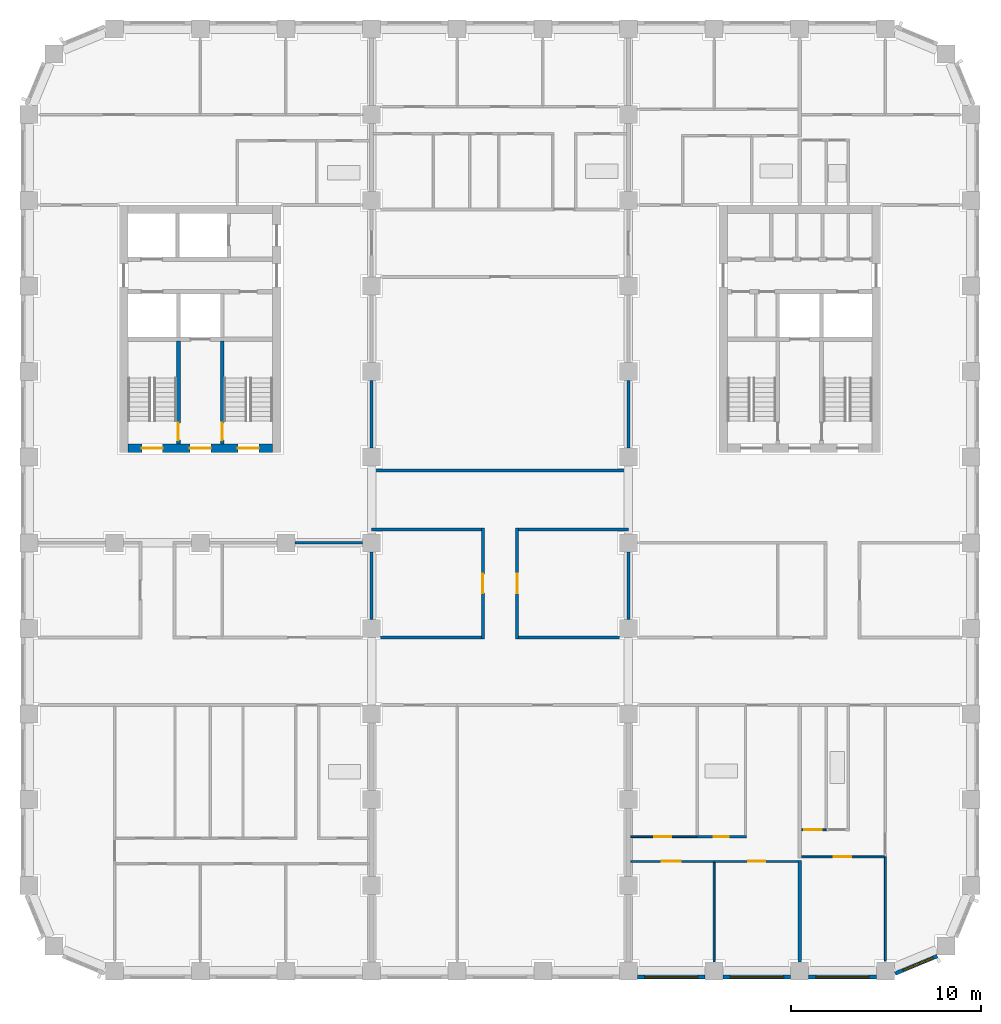
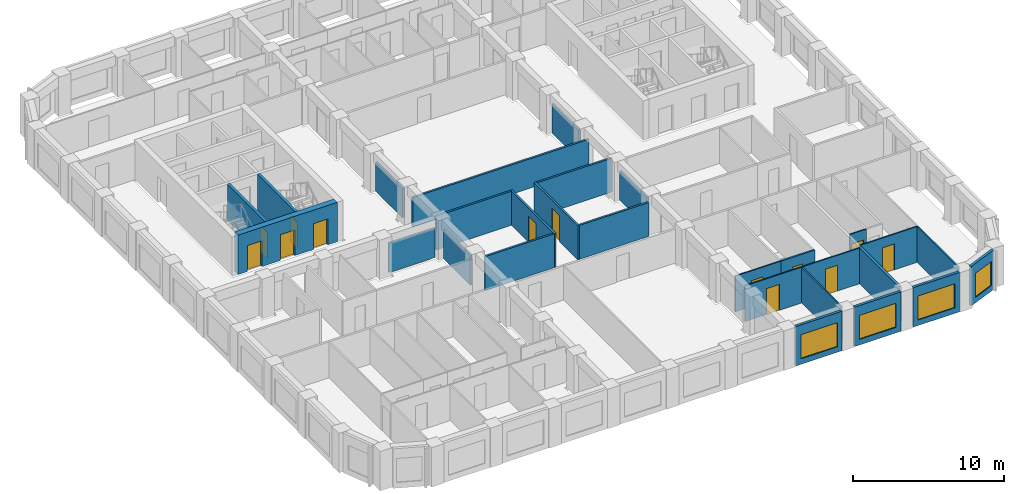
# One storey, part 4 of 13: 28 walls, 13 doors, 4 windows, 17 openings.
"""IFC4 building model written with IfcOpenShell, lengths in metres."""

from ifc_helpers import new_model, si_unit, direction, frame, frame_2d, origin, place, context, subcontext, project, spatial, rectangle, extrude, material, layer, layer_set, type_object, element, fill, save


model = new_model("IFC4")

# Units and contexts
model_context = context("Model", 3, precision=1e-05, world=origin(), true_north=direction((0.0, 1.0)))
body_context = subcontext(model_context, "Body", "Model", "MODEL_VIEW")
ifc_project = project(units=[si_unit("LENGTHUNIT", "METRE"), si_unit("AREAUNIT", "SQUARE_METRE"), si_unit("VOLUMEUNIT", "CUBIC_METRE"), si_unit("PLANEANGLEUNIT", "RADIAN"), si_unit("MASSUNIT", "GRAM", prefix="KILO")], contexts=[model_context])

# Site, building, storey
site_placement = place(None, origin())
site = spatial("IfcSite", under=ifc_project, at=site_placement, CompositionType="ELEMENT")
building_placement = place(site_placement, origin())
building = spatial("IfcBuilding", under=site, at=building_placement, Name="Girih Gate Residences", CompositionType="ELEMENT")
storey_placement = place(building_placement, frame((0.0, 0.0, 130.199951171875)))
storey = spatial("IfcBuildingStorey", under=building, at=storey_placement, Name="L36", CompositionType="ELEMENT", Elevation=130.199951171875)

# Wall, opening, door
ifc_material_1 = material(Name="Gypsum board on steel studs", Category="steel")
ifc_layer_1 = layer(ifc_material_1, 0.14990234375)
ifc_layer_set_1 = layer_set([ifc_layer_1], Name="Compartment wall 150 mm")
wall_type_1 = type_object("IfcWallType", Name="Compartment wall 150 mm", PredefinedType="PARTITIONING", material=ifc_layer_set_1)
wall_1_placement = place(storey_placement, frame((23.85009765625, 17.449951171875, 0.0), z_axis=(0.0, 0.0, 1.0), x_axis=(0.0, 1.0, 0.0)))
wall_1 = element("IfcWall", 1, at=wall_1_placement, inside=storey, type_object=wall_type_1, Name="L36 partition", PredefinedType="PARTITIONING", context=body_context, shape_type="SweptSolid", body=[
    extrude(rectangle(XDim=5.824951171875, YDim=0.14990234375, at=frame_2d((2.91259765625, 0.0))), origin(), (0.0, 0.0, 1.0), 2.75),
])
opening_1_placement = place(wall_1_placement, frame((2.41259765625, 0.0, 0.0)))
opening_1 = element("IfcOpeningElement", 2, at=opening_1_placement, cuts=wall_1, Name="Opening A36-051", PredefinedType="OPENING", context=body_context, shape_type="SweptSolid", body=[
    extrude(rectangle(XDim=1.0, YDim=2.10009765625, at=frame_2d((0.5, 1.050048828125))), frame((0.0, 0.0849609375, 0.0), z_axis=(0.0, -1.0, 0.0), x_axis=(1.0, 0.0, 0.0)), (0.0, 0.0, 1.0), 0.169921875),
])
ifc_material_2 = material(Name="Timber, fire-rated core", Category="wood")
door_type_1 = type_object("IfcDoorType", Name="Amenity room door 1000x2100 FD30S", OperationType="NOTDEFINED", PredefinedType="DOOR", material=ifc_material_2)
door_1_placement = place(opening_1_placement, origin())
door_1 = element("IfcDoor", 3, at=door_1_placement, inside=storey, type_object=door_type_1, Name="Door A36-051", OperationType="SINGLE_SWING_LEFT", OverallHeight=2.10009765625, OverallWidth=1.0, PredefinedType="DOOR", context=body_context, shape_type="SweptSolid", body=[
    extrude(rectangle(XDim=1.0, YDim=2.10009765625, at=frame_2d((0.5, 1.050048828125))), frame((0.0, 0.02490234375, 0.0), z_axis=(0.0, -1.0, 0.0), x_axis=(1.0, 0.0, 0.0)), (0.0, 0.0, 1.0), 0.050048828125),
])
fill(opening_1, door_1)

wall_2_placement = place(storey_placement, frame((25.64990234375, 23.27490234375, 0.0), z_axis=(0.0, 0.0, 1.0), x_axis=(0.0, -1.0, 0.0)))
wall_2 = element("IfcWall", 4, at=wall_2_placement, inside=storey, type_object=wall_type_1, Name="L36 partition", PredefinedType="PARTITIONING", context=body_context, shape_type="SweptSolid", body=[
    extrude(rectangle(XDim=5.824951171875, YDim=0.14990234375, at=frame_2d((2.91259765625, 0.0))), origin(), (0.0, 0.0, 1.0), 2.75),
])
opening_2_placement = place(wall_2_placement, frame((2.41259765625, 0.0, 0.0)))
opening_2 = element("IfcOpeningElement", 5, at=opening_2_placement, cuts=wall_2, Name="Opening A36-052", PredefinedType="OPENING", context=body_context, shape_type="SweptSolid", body=[
    extrude(rectangle(XDim=1.0, YDim=2.10009765625, at=frame_2d((0.5, 1.050048828125))), frame((0.0, 0.0849609375, 0.0), z_axis=(0.0, -1.0, 0.0), x_axis=(1.0, 0.0, 0.0)), (0.0, 0.0, 1.0), 0.169921875),
])
door_2_placement = place(opening_2_placement, origin())
door_2 = element("IfcDoor", 6, at=door_2_placement, inside=storey, type_object=door_type_1, Name="Door A36-052", OperationType="SINGLE_SWING_RIGHT", OverallHeight=2.10009765625, OverallWidth=1.0, PredefinedType="DOOR", context=body_context, shape_type="SweptSolid", body=[
    extrude(rectangle(XDim=1.0, YDim=2.10009765625, at=frame_2d((0.5, 1.050048828125))), frame((0.0, 0.02490234375, 0.0), z_axis=(0.0, -1.0, 0.0), x_axis=(1.0, 0.0, 0.0)), (0.0, 0.0, 1.0), 0.050048828125),
])
fill(opening_2, door_2)

# Walls
for number, where, z_axis, x_axis, name in (
    (7, (18.47509765625, 17.52490234375, 0.0), (0.0, 0.0, 1.0), (1.0, 0.0, 0.0), "L36 partition"),
    (8, (25.72509765625, 17.52490234375, 0.0), (0.0, 0.0, 1.0), (1.0, 0.0, 0.0), "L36 partition"),
):
    element("IfcWall", number, at=place(storey_placement, frame(where, z_axis=z_axis, x_axis=x_axis)), inside=storey, type_object=wall_type_1, Name=name, PredefinedType="PARTITIONING", context=body_context, shape_type="SweptSolid", body=[
        extrude(rectangle(XDim=5.2998046875, YDim=0.14990234375, at=frame_2d((2.64990234375, 0.0))), origin(), (0.0, 0.0, 1.0), 2.75),
    ])
for number, where, z_axis, x_axis, name in (
    (9, (31.5, 27.47509765625, 0.0), (0.0, 0.0, 1.0), (0.0, 1.0, 0.0), "L36 partition"),
    (10, (18.0, 27.47509765625, 0.0), (0.0, 0.0, 1.0), (0.0, 1.0, 0.0), "L36 partition"),
):
    element("IfcWall", number, at=place(storey_placement, frame(where, z_axis=z_axis, x_axis=x_axis)), inside=storey, type_object=wall_type_1, Name=name, PredefinedType="PARTITIONING", context=body_context, shape_type="SweptSolid", body=[
        extrude(rectangle(XDim=3.5498046875, YDim=0.14990234375, at=frame_2d((1.77490234375, 0.0))), origin(), (0.0, 0.0, 1.0), 2.380126953125),
    ])
wall_3_placement = place(storey_placement, frame((18.0, 26.300048828125, 0.0), z_axis=(0.0, 0.0, 1.0), x_axis=(1.0, 0.0, 0.0)))
element("IfcWall", 11, at=wall_3_placement, inside=storey, type_object=wall_type_1, Name="L36 partition", PredefinedType="PARTITIONING", context=body_context, shape_type="SweptSolid", body=[
    extrude(rectangle(XDim=13.5, YDim=0.14990234375, at=frame_2d((6.75, 0.0))), origin(), (0.0, 0.0, 1.0), 2.380126953125),
])
wall_4_placement = place(storey_placement, frame((18.0, 23.199951171875, 0.0), z_axis=(0.0, 0.0, 1.0), x_axis=(1.0, 0.0, 0.0)))
element("IfcWall", 12, at=wall_4_placement, inside=storey, type_object=wall_type_1, Name="L36 partition", PredefinedType="PARTITIONING", context=body_context, shape_type="SweptSolid", body=[
    extrude(rectangle(XDim=5.77490234375, YDim=0.14990234375, at=frame_2d((2.887451171875, 0.0))), origin(), (0.0, 0.0, 1.0), 2.75),
])
wall_5_placement = place(storey_placement, frame((18.0, 18.47509765625, 0.0), z_axis=(0.0, 0.0, 1.0), x_axis=(0.0, 1.0, 0.0)))
element("IfcWall", 13, at=wall_5_placement, inside=storey, type_object=wall_type_1, Name="L36 partition", PredefinedType="PARTITIONING", context=body_context, shape_type="SweptSolid", body=[
    extrude(rectangle(XDim=3.5498046875, YDim=0.14990234375, at=frame_2d((1.77490234375, 0.0))), origin(), (0.0, 0.0, 1.0), 2.380126953125),
])
wall_6_placement = place(storey_placement, frame((25.72509765625, 23.199951171875, 0.0), z_axis=(0.0, 0.0, 1.0), x_axis=(1.0, 0.0, 0.0)))
element("IfcWall", 14, at=wall_6_placement, inside=storey, type_object=wall_type_1, Name="L36 partition", PredefinedType="PARTITIONING", context=body_context, shape_type="SweptSolid", body=[
    extrude(rectangle(XDim=5.77490234375, YDim=0.14990234375, at=frame_2d((2.887451171875, 0.0))), origin(), (0.0, 0.0, 1.0), 2.75),
])
for number, where, z_axis, x_axis, name in (
    (15, (31.5, 18.47509765625, 0.0), (0.0, 0.0, 1.0), (0.0, 1.0, 0.0), "L36 partition"),
    (16, (13.97509765625, 22.5, 0.0), (0.0, 0.0, 1.0), (1.0, 0.0, 0.0), "L36 partition"),
):
    element("IfcWall", number, at=place(storey_placement, frame(where, z_axis=z_axis, x_axis=x_axis)), inside=storey, type_object=wall_type_1, Name=name, PredefinedType="PARTITIONING", context=body_context, shape_type="SweptSolid", body=[
        extrude(rectangle(XDim=3.5498046875, YDim=0.14990234375, at=frame_2d((1.77490234375, 0.0))), origin(), (0.0, 0.0, 1.0), 2.380126953125),
    ])

# Wall, openings, doors
ifc_material_3 = material(Name="Concrete C60/75", Category="concrete")
ifc_layer_2 = layer(ifc_material_3, 0.449951171875)
ifc_layer_set_2 = layer_set([ifc_layer_2], Name="Core wall RC 450 Concrete C60/75")
wall_type_2 = type_object("IfcWallType", Name="Core wall RC 450 Concrete C60/75", PredefinedType="SOLIDWALL", material=ifc_layer_set_2)
wall_7_placement = place(storey_placement, frame((5.199951171875, 27.47509765625, 0.0), z_axis=(0.0, 0.0, 1.0), x_axis=(1.0, 0.0, 0.0)))
wall_7 = element("IfcWall", 17, at=wall_7_placement, inside=storey, type_object=wall_type_2, Name="Core wall W-S L36", PredefinedType="SOLIDWALL", context=body_context, shape_type="SweptSolid", body=[
    extrude(rectangle(XDim=7.60009765625, YDim=0.449951171875, at=frame_2d((3.800048828125, 0.0))), origin(), (0.0, 0.0, 1.0), 3.199951171875),
])
opening_3_placement = place(wall_7_placement, frame((0.72509765625, 0.0, 0.0)))
opening_3 = element("IfcOpeningElement", 18, at=opening_3_placement, cuts=wall_7, Name="Opening D-L36-W-008", PredefinedType="OPENING", context=body_context, shape_type="SweptSolid", body=[
    extrude(rectangle(XDim=1.10009765625, YDim=2.10009765625, at=frame_2d((0.550048828125, 1.050048828125))), frame((0.0, 0.23486328125, 0.0), z_axis=(0.0, -1.0, 0.0), x_axis=(1.0, 0.0, 0.0)), (0.0, 0.0, 1.0), 0.469970703125),
])
opening_4_placement = place(wall_7_placement, frame((3.25, 0.0, 0.0)))
opening_4 = element("IfcOpeningElement", 19, at=opening_4_placement, cuts=wall_7, Name="Opening D-L36-W-009", PredefinedType="OPENING", context=body_context, shape_type="SweptSolid", body=[
    extrude(rectangle(XDim=1.10009765625, YDim=2.10009765625, at=frame_2d((0.550048828125, 1.050048828125))), frame((0.0, 0.23486328125, 0.0), z_axis=(0.0, -1.0, 0.0), x_axis=(1.0, 0.0, 0.0)), (0.0, 0.0, 1.0), 0.469970703125),
])
opening_5_placement = place(wall_7_placement, frame((5.77490234375, 0.0, 0.0)))
opening_5 = element("IfcOpeningElement", 20, at=opening_5_placement, cuts=wall_7, Name="Opening D-L36-W-010", PredefinedType="OPENING", context=body_context, shape_type="SweptSolid", body=[
    extrude(rectangle(XDim=1.10009765625, YDim=2.10009765625, at=frame_2d((0.550048828125, 1.050048828125))), frame((0.0, 0.23486328125, 0.0), z_axis=(0.0, -1.0, 0.0), x_axis=(1.0, 0.0, 0.0)), (0.0, 0.0, 1.0), 0.469970703125),
])
ifc_material_4 = material(Name="Painted steel, fire-resisting", Category="steel")
door_type_2 = type_object("IfcDoorType", Name="Fire door 1100x2100", OperationType="SINGLE_SWING_LEFT", PredefinedType="DOOR", material=ifc_material_4)
door_3_placement = place(opening_3_placement, origin())
door_3 = element("IfcDoor", 21, at=door_3_placement, inside=storey, type_object=door_type_2, Name="L36 W core door sta-out", OperationType="SINGLE_SWING_LEFT", OverallHeight=2.10009765625, OverallWidth=1.10009765625, PredefinedType="DOOR", context=body_context, shape_type="SweptSolid", body=[
    extrude(rectangle(XDim=1.10009765625, YDim=2.10009765625, at=frame_2d((0.550048828125, 1.050048828125))), frame((0.0, 0.02490234375, 0.0), z_axis=(0.0, -1.0, 0.0), x_axis=(1.0, 0.0, 0.0)), (0.0, 0.0, 1.0), 0.050048828125),
])
fill(opening_3, door_3)
door_4_placement = place(opening_4_placement, origin())
door_4 = element("IfcDoor", 22, at=door_4_placement, inside=storey, type_object=door_type_2, Name="L36 W core door ffl-out", OperationType="SINGLE_SWING_LEFT", OverallHeight=2.10009765625, OverallWidth=1.10009765625, PredefinedType="DOOR", context=body_context, shape_type="SweptSolid", body=[
    extrude(rectangle(XDim=1.10009765625, YDim=2.10009765625, at=frame_2d((0.550048828125, 1.050048828125))), frame((0.0, 0.02490234375, 0.0), z_axis=(0.0, -1.0, 0.0), x_axis=(1.0, 0.0, 0.0)), (0.0, 0.0, 1.0), 0.050048828125),
])
fill(opening_4, door_4)
door_5_placement = place(opening_5_placement, origin())
door_5 = element("IfcDoor", 23, at=door_5_placement, inside=storey, type_object=door_type_2, Name="L36 W core door stb-out", OperationType="SINGLE_SWING_LEFT", OverallHeight=2.10009765625, OverallWidth=1.10009765625, PredefinedType="DOOR", context=body_context, shape_type="SweptSolid", body=[
    extrude(rectangle(XDim=1.10009765625, YDim=2.10009765625, at=frame_2d((0.550048828125, 1.050048828125))), frame((0.0, 0.02490234375, 0.0), z_axis=(0.0, -1.0, 0.0), x_axis=(1.0, 0.0, 0.0)), (0.0, 0.0, 1.0), 0.050048828125),
])
fill(opening_5, door_5)

# Wall, opening, door
ifc_layer_3 = layer(ifc_material_1, 0.10009765625)
ifc_layer_set_3 = layer_set([ifc_layer_3], Name="Partition 100 mm")
wall_type_3 = type_object("IfcWallType", Name="Partition 100 mm", PredefinedType="PARTITIONING", material=ifc_layer_set_3)
wall_8_placement = place(storey_placement, frame((44.949951171875, 5.9951171875, 0.0), z_axis=(0.0, 0.0, 1.0), x_axis=(-1.0, 0.0, 0.0)))
wall_8 = element("IfcWall", 24, at=wall_8_placement, inside=storey, type_object=wall_type_3, Name="L36 partition", PredefinedType="PARTITIONING", context=body_context, shape_type="SweptSolid", body=[
    extrude(rectangle(XDim=4.349853515625, YDim=0.10009765625, at=frame_2d((2.1748046875, 0.0))), origin(), (0.0, 0.0, 1.0), 2.900146484375),
])
opening_6_placement = place(wall_8_placement, frame((1.75, 0.0, 0.0)))
opening_6 = element("IfcOpeningElement", 25, at=opening_6_placement, cuts=wall_8, Name="Opening A36-018", PredefinedType="OPENING", context=body_context, shape_type="SweptSolid", body=[
    extrude(rectangle(XDim=0.89990234375, YDim=2.10009765625, at=frame_2d((0.449951171875, 1.050048828125))), frame((0.0, 0.06005859375, 0.0), z_axis=(0.0, -1.0, 0.0), x_axis=(1.0, 0.0, 0.0)), (0.0, 0.0, 1.0), 0.1201171875),
])
ifc_material_5 = material(Name="Timber", Category="wood")
door_type_3 = type_object("IfcDoorType", Name="Bedroom door 900x2100", OperationType="NOTDEFINED", PredefinedType="DOOR", material=ifc_material_5)
door_6_placement = place(opening_6_placement, origin())
door_6 = element("IfcDoor", 26, at=door_6_placement, inside=storey, type_object=door_type_3, Name="Door A36-018", OperationType="SINGLE_SWING_RIGHT", OverallHeight=2.10009765625, OverallWidth=0.89990234375, PredefinedType="DOOR", context=body_context, shape_type="SweptSolid", body=[
    extrude(rectangle(XDim=0.89990234375, YDim=2.10009765625, at=frame_2d((0.449951171875, 1.050048828125))), frame((0.0, 0.02490234375, 0.0), z_axis=(0.0, -1.0, 0.0), x_axis=(1.0, 0.0, 0.0)), (0.0, 0.0, 1.0), 0.050048828125),
])
fill(opening_6, door_6)

# Wall
wall_9_placement = place(storey_placement, frame((45.0, 0.51416015625, 0.0), z_axis=(0.0, 0.0, 1.0), x_axis=(0.0, 1.0, 0.0)))
element("IfcWall", 27, at=wall_9_placement, inside=storey, type_object=wall_type_3, Name="L36 partition", PredefinedType="PARTITIONING", context=body_context, shape_type="SweptSolid", body=[
    extrude(rectangle(XDim=5.48095703125, YDim=0.10009765625, at=frame_2d((2.740478515625, 0.0))), origin(), (0.0, 0.0, 1.0), 2.900146484375),
])

# Wall, opening, door
wall_10_placement = place(storey_placement, frame((40.60009765625, 7.4150390625, 0.0), z_axis=(0.0, 0.0, 1.0), x_axis=(1.0, 0.0, 0.0)))
wall_10 = element("IfcWall", 28, at=wall_10_placement, inside=storey, type_object=wall_type_3, Name="L36 partition", PredefinedType="PARTITIONING", context=body_context, shape_type="SweptSolid", body=[
    extrude(rectangle(XDim=1.290771484375, YDim=0.10009765625, at=frame_2d((0.6455078125, 0.0))), origin(), (0.0, 0.0, 1.0), 2.900146484375),
])
opening_7_placement = place(wall_10_placement, frame((0.1455078125, 0.0, 0.0)))
opening_7 = element("IfcOpeningElement", 29, at=opening_7_placement, cuts=wall_10, Name="Opening A36-019", PredefinedType="OPENING", context=body_context, shape_type="SweptSolid", body=[
    extrude(rectangle(XDim=0.89990234375, YDim=2.10009765625, at=frame_2d((0.449951171875, 1.050048828125))), frame((0.0, 0.06005859375, 0.0), z_axis=(0.0, -1.0, 0.0), x_axis=(1.0, 0.0, 0.0)), (0.0, 0.0, 1.0), 0.1201171875),
])
door_type_4 = type_object("IfcDoorType", Name="Kitchen door 900x2100", OperationType="NOTDEFINED", PredefinedType="DOOR", material=ifc_material_5)
door_7_placement = place(opening_7_placement, origin())
door_7 = element("IfcDoor", 30, at=door_7_placement, inside=storey, type_object=door_type_4, Name="Door A36-019", OperationType="SINGLE_SWING_LEFT", OverallHeight=2.10009765625, OverallWidth=0.89990234375, PredefinedType="DOOR", context=body_context, shape_type="SweptSolid", body=[
    extrude(rectangle(XDim=0.89990234375, YDim=2.10009765625, at=frame_2d((0.449951171875, 1.050048828125))), frame((0.0, 0.02490234375, 0.0), z_axis=(0.0, -1.0, 0.0), x_axis=(1.0, 0.0, 0.0)), (0.0, 0.0, 1.0), 0.050048828125),
])
fill(opening_7, door_7)

wall_11_placement = place(storey_placement, frame((40.39990234375, 5.7548828125, 0.0), z_axis=(0.0, 0.0, 1.0), x_axis=(-1.0, 0.0, 0.0)))
wall_11 = element("IfcWall", 31, at=wall_11_placement, inside=storey, type_object=wall_type_3, Name="L36 partition", PredefinedType="PARTITIONING", context=body_context, shape_type="SweptSolid", body=[
    extrude(rectangle(XDim=4.39990234375, YDim=0.10009765625, at=frame_2d((2.199951171875, 0.0))), origin(), (0.0, 0.0, 1.0), 2.900146484375),
])
opening_8_placement = place(wall_11_placement, frame((1.699951171875, 0.0, 0.0)))
opening_8 = element("IfcOpeningElement", 32, at=opening_8_placement, cuts=wall_11, Name="Opening A36-023", PredefinedType="OPENING", context=body_context, shape_type="SweptSolid", body=[
    extrude(rectangle(XDim=0.89990234375, YDim=2.10009765625, at=frame_2d((0.449951171875, 1.050048828125))), frame((0.0, 0.06005859375, 0.0), z_axis=(0.0, -1.0, 0.0), x_axis=(1.0, 0.0, 0.0)), (0.0, 0.0, 1.0), 0.1201171875),
])
door_8_placement = place(opening_8_placement, origin())
door_8 = element("IfcDoor", 33, at=door_8_placement, inside=storey, type_object=door_type_3, Name="Door A36-023", OperationType="SINGLE_SWING_LEFT", OverallHeight=2.10009765625, OverallWidth=0.89990234375, PredefinedType="DOOR", context=body_context, shape_type="SweptSolid", body=[
    extrude(rectangle(XDim=0.89990234375, YDim=2.10009765625, at=frame_2d((0.449951171875, 1.050048828125))), frame((0.0, 0.02490234375, 0.0), z_axis=(0.0, -1.0, 0.0), x_axis=(1.0, 0.0, 0.0)), (0.0, 0.0, 1.0), 0.050048828125),
])
fill(opening_8, door_8)

# Wall
wall_12_placement = place(storey_placement, frame((36.0, 0.47509765625, 0.0), z_axis=(0.0, 0.0, 1.0), x_axis=(0.0, 1.0, 0.0)))
element("IfcWall", 34, at=wall_12_placement, inside=storey, type_object=wall_type_3, Name="L36 partition", PredefinedType="PARTITIONING", context=body_context, shape_type="SweptSolid", body=[
    extrude(rectangle(XDim=5.22998046875, YDim=0.10009765625, at=frame_2d((2.614990234375, 0.0))), origin(), (0.0, 0.0, 1.0), 2.900146484375),
])

# Wall, opening, door
wall_13_placement = place(storey_placement, frame((31.625, 7.054931640625, 0.0), z_axis=(0.0, 0.0, 1.0), x_axis=(1.0, 0.0, 0.0)))
wall_13 = element("IfcWall", 35, at=wall_13_placement, inside=storey, type_object=wall_type_3, Name="L36 partition", PredefinedType="PARTITIONING", context=body_context, shape_type="SweptSolid", body=[
    extrude(rectangle(XDim=3.485595703125, YDim=0.10009765625, at=frame_2d((1.74267578125, 0.0))), origin(), (0.0, 0.0, 1.0), 2.900146484375),
])
opening_9_placement = place(wall_13_placement, frame((1.23046875, 0.0, 0.0)))
opening_9 = element("IfcOpeningElement", 36, at=opening_9_placement, cuts=wall_13, Name="Opening A36-024", PredefinedType="OPENING", context=body_context, shape_type="SweptSolid", body=[
    extrude(rectangle(XDim=0.89990234375, YDim=2.10009765625, at=frame_2d((0.449951171875, 1.050048828125))), frame((0.0, 0.06005859375, 0.0), z_axis=(0.0, -1.0, 0.0), x_axis=(1.0, 0.0, 0.0)), (0.0, 0.0, 1.0), 0.1201171875),
])
door_9_placement = place(opening_9_placement, origin())
door_9 = element("IfcDoor", 37, at=door_9_placement, inside=storey, type_object=door_type_4, Name="Door A36-024", OperationType="SINGLE_SWING_LEFT", OverallHeight=2.10009765625, OverallWidth=0.89990234375, PredefinedType="DOOR", context=body_context, shape_type="SweptSolid", body=[
    extrude(rectangle(XDim=0.89990234375, YDim=2.10009765625, at=frame_2d((0.449951171875, 1.050048828125))), frame((0.0, 0.02490234375, 0.0), z_axis=(0.0, -1.0, 0.0), x_axis=(1.0, 0.0, 0.0)), (0.0, 0.0, 1.0), 0.050048828125),
])
fill(opening_9, door_9)

wall_14_placement = place(storey_placement, frame((36.0, 5.7548828125, 0.0), z_axis=(0.0, 0.0, 1.0), x_axis=(-1.0, 0.0, 0.0)))
wall_14 = element("IfcWall", 38, at=wall_14_placement, inside=storey, type_object=wall_type_3, Name="L36 partition", PredefinedType="PARTITIONING", context=body_context, shape_type="SweptSolid", body=[
    extrude(rectangle(XDim=4.375, YDim=0.10009765625, at=frame_2d((2.1875, 0.0))), origin(), (0.0, 0.0, 1.0), 2.900146484375),
])
opening_10_placement = place(wall_14_placement, frame((1.75, 0.0, 0.0)))
opening_10 = element("IfcOpeningElement", 39, at=opening_10_placement, cuts=wall_14, Name="Opening A36-025", PredefinedType="OPENING", context=body_context, shape_type="SweptSolid", body=[
    extrude(rectangle(XDim=1.0, YDim=2.10009765625, at=frame_2d((0.5, 1.050048828125))), frame((0.0, 0.06005859375, 0.0), z_axis=(0.0, -1.0, 0.0), x_axis=(1.0, 0.0, 0.0)), (0.0, 0.0, 1.0), 0.1201171875),
])
door_type_5 = type_object("IfcDoorType", Name="Living room door 1000x2100", OperationType="NOTDEFINED", PredefinedType="DOOR", material=ifc_material_5)
door_10_placement = place(opening_10_placement, origin())
door_10 = element("IfcDoor", 40, at=door_10_placement, inside=storey, type_object=door_type_5, Name="Door A36-025", OperationType="SINGLE_SWING_RIGHT", OverallHeight=2.10009765625, OverallWidth=1.0, PredefinedType="DOOR", context=body_context, shape_type="SweptSolid", body=[
    extrude(rectangle(XDim=1.0, YDim=2.10009765625, at=frame_2d((0.5, 1.050048828125))), frame((0.0, 0.02490234375, 0.0), z_axis=(0.0, -1.0, 0.0), x_axis=(1.0, 0.0, 0.0)), (0.0, 0.0, 1.0), 0.050048828125),
])
fill(opening_10, door_10)

# Wall
ifc_layer_4 = layer(ifc_material_1, 0.199951171875)
ifc_layer_set_4 = layer_set([ifc_layer_4], Name="Party wall 200 mm")
wall_type_4 = type_object("IfcWallType", Name="Party wall 200 mm", PredefinedType="PARTITIONING", material=ifc_layer_set_4)
wall_15_placement = place(storey_placement, frame((40.5, 0.47509765625, 0.0), z_axis=(0.0, 0.0, 1.0), x_axis=(0.0, 1.0, 0.0)))
element("IfcWall", 41, at=wall_15_placement, inside=storey, type_object=wall_type_4, Name="L36 partition", PredefinedType="PARTITIONING", context=body_context, shape_type="SweptSolid", body=[
    extrude(rectangle(XDim=5.329833984375, YDim=0.199951171875, at=frame_2d((2.6650390625, 0.0))), origin(), (0.0, 0.0, 1.0), 2.900146484375),
])

# Wall, opening, window
ifc_material_6 = material(Name="Precast concrete C50/60", Category="concrete")
ifc_layer_5 = layer(ifc_material_6, 0.06005859375, Name="Outer leaf")
ifc_material_7 = material(Name="Rigid PIR insulation")
ifc_layer_6 = layer(ifc_material_7, 0.090087890625, Name="Insulation")
ifc_material_8 = material(Name="Precast concrete C40/50", Category="concrete")
ifc_layer_7 = layer(ifc_material_8, 0.050048828125, Name="Inner leaf")
ifc_layer_set_5 = layer_set([ifc_layer_5, ifc_layer_6, ifc_layer_7], Name="Precast concrete C50/60 external wall 200")
wall_type_5 = type_object("IfcWallType", Name="Precast concrete C50/60 external wall 200", PredefinedType="SOLIDWALL", material=ifc_layer_set_5)
wall_16_placement = place(storey_placement, frame((35.52490234375, -0.324951171875, 0.0), z_axis=(0.0, 0.0, 1.0), x_axis=(-1.0, 0.0, 0.0)))
wall_16 = element("IfcWall", 42, at=wall_16_placement, inside=storey, type_object=wall_type_5, Name="External wall S0045_0000.6", PredefinedType="SOLIDWALL", context=body_context, shape_type="SweptSolid", body=[
    extrude(rectangle(XDim=3.5498046875, YDim=0.199951171875, at=frame_2d((1.77490234375, 0.0))), origin(), (0.0, 0.0, 1.0), 3.199951171875),
])
opening_11_placement = place(wall_16_placement, frame((0.375, 0.0, 0.449951171875)))
opening_11 = element("IfcOpeningElement", 43, at=opening_11_placement, cuts=wall_16, Name="Opening W-1B", PredefinedType="OPENING", context=body_context, shape_type="SweptSolid", body=[
    extrude(rectangle(XDim=2.800048828125, YDim=1.949951171875, at=frame_2d((1.39990234375, 0.97509765625))), frame((0.0, 0.10986328125, 0.0), z_axis=(0.0, -1.0, 0.0), x_axis=(1.0, 0.0, 0.0)), (0.0, 0.0, 1.0), 0.219970703125),
])
ifc_material_9 = material(Name="Double glazing in aluminium frame", Category="aluminium")
window_type_1 = type_object("IfcWindowType", Name="Window W-1B 2800x1950", PartitioningType="SINGLE_PANEL", PredefinedType="WINDOW", material=ifc_material_9)
window_1_placement = place(opening_11_placement, origin())
window_1 = element("IfcWindow", 44, at=window_1_placement, inside=storey, type_object=window_type_1, Name="Window W-1B S0045_0000.6", OverallHeight=1.949951171875, OverallWidth=2.800048828125, PartitioningType="SINGLE_PANEL", PredefinedType="WINDOW", context=body_context, shape_type="SweptSolid", body=[
    extrude(rectangle(XDim=2.800048828125, YDim=1.949951171875, at=frame_2d((1.39990234375, 0.97509765625))), frame((0.0, 0.030029296875, 0.0), z_axis=(0.0, -1.0, 0.0), x_axis=(1.0, 0.0, 0.0)), (0.0, 0.0, 1.0), 0.06005859375),
])
fill(opening_11, window_1)

wall_17_placement = place(storey_placement, frame((40.02490234375, -0.324951171875, 0.0), z_axis=(0.0, 0.0, 1.0), x_axis=(-1.0, 0.0, 0.0)))
wall_17 = element("IfcWall", 45, at=wall_17_placement, inside=storey, type_object=wall_type_5, Name="External wall S0045_0000.7", PredefinedType="SOLIDWALL", context=body_context, shape_type="SweptSolid", body=[
    extrude(rectangle(XDim=3.5498046875, YDim=0.199951171875, at=frame_2d((1.77490234375, 0.0))), origin(), (0.0, 0.0, 1.0), 3.199951171875),
])
opening_12_placement = place(wall_17_placement, frame((0.375, 0.0, 0.449951171875)))
opening_12 = element("IfcOpeningElement", 46, at=opening_12_placement, cuts=wall_17, Name="Opening W-1B", PredefinedType="OPENING", context=body_context, shape_type="SweptSolid", body=[
    extrude(rectangle(XDim=2.800048828125, YDim=1.949951171875, at=frame_2d((1.39990234375, 0.97509765625))), frame((0.0, 0.10986328125, 0.0), z_axis=(0.0, -1.0, 0.0), x_axis=(1.0, 0.0, 0.0)), (0.0, 0.0, 1.0), 0.219970703125),
])
window_2_placement = place(opening_12_placement, origin())
window_2 = element("IfcWindow", 47, at=window_2_placement, inside=storey, type_object=window_type_1, Name="Window W-1B S0045_0000.7", OverallHeight=1.949951171875, OverallWidth=2.800048828125, PartitioningType="SINGLE_PANEL", PredefinedType="WINDOW", context=body_context, shape_type="SweptSolid", body=[
    extrude(rectangle(XDim=2.800048828125, YDim=1.949951171875, at=frame_2d((1.39990234375, 0.97509765625))), frame((0.0, 0.030029296875, 0.0), z_axis=(0.0, -1.0, 0.0), x_axis=(1.0, 0.0, 0.0)), (0.0, 0.0, 1.0), 0.06005859375),
])
fill(opening_12, window_2)

wall_18_placement = place(storey_placement, frame((44.52490234375, -0.324951171875, 0.0), z_axis=(0.0, 0.0, 1.0), x_axis=(-1.0, 0.0, 0.0)))
wall_18 = element("IfcWall", 48, at=wall_18_placement, inside=storey, type_object=wall_type_5, Name="External wall S0045_0000.8", PredefinedType="SOLIDWALL", context=body_context, shape_type="SweptSolid", body=[
    extrude(rectangle(XDim=3.5498046875, YDim=0.199951171875, at=frame_2d((1.77490234375, 0.0))), origin(), (0.0, 0.0, 1.0), 3.199951171875),
])
opening_13_placement = place(wall_18_placement, frame((0.375, 0.0, 0.449951171875)))
opening_13 = element("IfcOpeningElement", 49, at=opening_13_placement, cuts=wall_18, Name="Opening W-1B", PredefinedType="OPENING", context=body_context, shape_type="SweptSolid", body=[
    extrude(rectangle(XDim=2.800048828125, YDim=1.949951171875, at=frame_2d((1.39990234375, 0.97509765625))), frame((0.0, 0.10986328125, 0.0), z_axis=(0.0, -1.0, 0.0), x_axis=(1.0, 0.0, 0.0)), (0.0, 0.0, 1.0), 0.219970703125),
])
window_3_placement = place(opening_13_placement, origin())
window_3 = element("IfcWindow", 50, at=window_3_placement, inside=storey, type_object=window_type_1, Name="Window W-1B S0045_0000.8", OverallHeight=1.949951171875, OverallWidth=2.800048828125, PartitioningType="SINGLE_PANEL", PredefinedType="WINDOW", context=body_context, shape_type="SweptSolid", body=[
    extrude(rectangle(XDim=2.800048828125, YDim=1.949951171875, at=frame_2d((1.39990234375, 0.97509765625))), frame((0.0, 0.030029296875, 0.0), z_axis=(0.0, -1.0, 0.0), x_axis=(1.0, 0.0, 0.0)), (0.0, 0.0, 1.0), 0.06005859375),
])
fill(opening_13, window_3)

wall_19_placement = place(storey_placement, frame((47.73291015625, 0.7802734375, 0.0), z_axis=(0.0, 0.0, 1.0), x_axis=(-0.923880599843, -0.382680855588, 0.0)))
wall_19 = element("IfcWall", 51, at=wall_19_placement, inside=storey, type_object=wall_type_5, Name="External wall SE0450_0000.0", PredefinedType="SOLIDWALL", context=body_context, shape_type="SweptSolid", body=[
    extrude(rectangle(XDim=2.402587890625, YDim=0.199951171875, at=frame_2d((1.201171875, 0.0))), origin(), (0.0, 0.0, 1.0), 3.199951171875),
])
opening_14_placement = place(wall_19_placement, frame((0.25146484375, 0.0, 0.449951171875)))
opening_14 = element("IfcOpeningElement", 52, at=opening_14_placement, cuts=wall_19, Name="Opening W-2E", PredefinedType="OPENING", context=body_context, shape_type="SweptSolid", body=[
    extrude(rectangle(XDim=1.699951171875, YDim=1.949951171875, at=frame_2d((0.85009765625, 0.97509765625))), frame((0.0, 0.10986328125, 0.0), z_axis=(0.0, -1.0, 0.0), x_axis=(1.0, 0.0, 0.0)), (0.0, 0.0, 1.0), 0.219970703125),
])
window_type_2 = type_object("IfcWindowType", Name="Window W-2E 1700x1950", PartitioningType="SINGLE_PANEL", PredefinedType="WINDOW", material=ifc_material_9)
window_4_placement = place(opening_14_placement, origin())
window_4 = element("IfcWindow", 53, at=window_4_placement, inside=storey, type_object=window_type_2, Name="Window W-2E SE0450_0000.0", OverallHeight=1.949951171875, OverallWidth=1.699951171875, PartitioningType="SINGLE_PANEL", PredefinedType="WINDOW", context=body_context, shape_type="SweptSolid", body=[
    extrude(rectangle(XDim=1.699951171875, YDim=1.949951171875, at=frame_2d((0.85009765625, 0.97509765625))), frame((0.0, 0.030029296875, 0.0), z_axis=(0.0, -1.0, 0.0), x_axis=(1.0, 0.0, 0.0)), (0.0, 0.0, 1.0), 0.06005859375),
])
fill(opening_14, window_4)

# Wall, opening, door
ifc_material_10 = material(Name="Concrete C40/50", Category="concrete")
ifc_layer_8 = layer(ifc_material_10, 0.199951171875)
ifc_layer_set_6 = layer_set([ifc_layer_8], Name="Shaft wall 200")
wall_type_6 = type_object("IfcWallType", Name="Shaft wall 200", PredefinedType="SOLIDWALL", material=ifc_layer_set_6)
wall_20_placement = place(storey_placement, frame((7.85009765625, 27.699951171875, 0.0), z_axis=(0.0, 0.0, 1.0), x_axis=(0.0, 1.0, 0.0)))
wall_20 = element("IfcWall", 54, at=wall_20_placement, inside=storey, type_object=wall_type_6, Name="L36 W core wall V1a", PredefinedType="SOLIDWALL", context=body_context, shape_type="SweptSolid", body=[
    extrude(rectangle(XDim=5.400146484375, YDim=0.199951171875, at=frame_2d((2.7001953125, 0.0))), origin(), (0.0, 0.0, 1.0), 2.900146484375),
])
opening_15_placement = place(wall_20_placement, frame((0.199951171875, 0.0, 0.0)))
opening_15 = element("IfcOpeningElement", 55, at=opening_15_placement, cuts=wall_20, Name="Opening D-L36-W-001", PredefinedType="OPENING", context=body_context, shape_type="SweptSolid", body=[
    extrude(rectangle(XDim=0.89990234375, YDim=2.10009765625, at=frame_2d((0.449951171875, 1.050048828125))), frame((0.0, 0.10986328125, 0.0), z_axis=(0.0, -1.0, 0.0), x_axis=(1.0, 0.0, 0.0)), (0.0, 0.0, 1.0), 0.219970703125),
])
door_type_6 = type_object("IfcDoorType", Name="Fire door 900x2100", OperationType="SINGLE_SWING_LEFT", PredefinedType="DOOR", material=ifc_material_4)
door_11_placement = place(opening_15_placement, origin())
door_11 = element("IfcDoor", 56, at=door_11_placement, inside=storey, type_object=door_type_6, Name="L36 W door stair 1 to firefighting lobby", OperationType="SINGLE_SWING_LEFT", OverallHeight=2.10009765625, OverallWidth=0.89990234375, PredefinedType="DOOR", context=body_context, shape_type="SweptSolid", body=[
    extrude(rectangle(XDim=0.89990234375, YDim=2.10009765625, at=frame_2d((0.449951171875, 1.050048828125))), frame((0.0, 0.02490234375, 0.0), z_axis=(0.0, -1.0, 0.0), x_axis=(1.0, 0.0, 0.0)), (0.0, 0.0, 1.0), 0.050048828125),
])
fill(opening_15, door_11)

wall_21_placement = place(storey_placement, frame((10.14990234375, 27.699951171875, 0.0), z_axis=(0.0, 0.0, 1.0), x_axis=(0.0, 1.0, 0.0)))
wall_21 = element("IfcWall", 57, at=wall_21_placement, inside=storey, type_object=wall_type_6, Name="L36 W core wall V2a", PredefinedType="SOLIDWALL", context=body_context, shape_type="SweptSolid", body=[
    extrude(rectangle(XDim=5.400146484375, YDim=0.199951171875, at=frame_2d((2.7001953125, 0.0))), origin(), (0.0, 0.0, 1.0), 2.900146484375),
])
opening_16_placement = place(wall_21_placement, frame((0.199951171875, 0.0, 0.0)))
opening_16 = element("IfcOpeningElement", 58, at=opening_16_placement, cuts=wall_21, Name="Opening D-L36-W-002", PredefinedType="OPENING", context=body_context, shape_type="SweptSolid", body=[
    extrude(rectangle(XDim=0.89990234375, YDim=2.10009765625, at=frame_2d((0.449951171875, 1.050048828125))), frame((0.0, 0.10986328125, 0.0), z_axis=(0.0, -1.0, 0.0), x_axis=(1.0, 0.0, 0.0)), (0.0, 0.0, 1.0), 0.219970703125),
])
door_12_placement = place(opening_16_placement, origin())
door_12 = element("IfcDoor", 59, at=door_12_placement, inside=storey, type_object=door_type_6, Name="L36 W door stair 2 to firefighting lobby", OperationType="SINGLE_SWING_LEFT", OverallHeight=2.10009765625, OverallWidth=0.89990234375, PredefinedType="DOOR", context=body_context, shape_type="SweptSolid", body=[
    extrude(rectangle(XDim=0.89990234375, YDim=2.10009765625, at=frame_2d((0.449951171875, 1.050048828125))), frame((0.0, 0.02490234375, 0.0), z_axis=(0.0, -1.0, 0.0), x_axis=(1.0, 0.0, 0.0)), (0.0, 0.0, 1.0), 0.050048828125),
])
fill(opening_16, door_12)

ifc_layer_9 = layer(ifc_material_1, 0.125)
ifc_layer_set_7 = layer_set([ifc_layer_9], Name="Wet room wall 125 mm")
wall_type_7 = type_object("IfcWallType", Name="Wet room wall 125 mm", PredefinedType="PARTITIONING", material=ifc_layer_set_7)
wall_22_placement = place(storey_placement, frame((35.110595703125, 7.054931640625, 0.0), z_axis=(0.0, 0.0, 1.0), x_axis=(1.0, 0.0, 0.0)))
wall_22 = element("IfcWall", 60, at=wall_22_placement, inside=storey, type_object=wall_type_7, Name="L36 partition", PredefinedType="PARTITIONING", context=body_context, shape_type="SweptSolid", body=[
    extrude(rectangle(XDim=2.601806640625, YDim=0.125, at=frame_2d((1.30078125, 0.0))), origin(), (0.0, 0.0, 1.0), 2.900146484375),
])
opening_17_placement = place(wall_22_placement, frame((0.86962890625, 0.0, 0.0)))
opening_17 = element("IfcOpeningElement", 61, at=opening_17_placement, cuts=wall_22, Name="Opening A36-022", PredefinedType="OPENING", context=body_context, shape_type="SweptSolid", body=[
    extrude(rectangle(XDim=0.800048828125, YDim=2.10009765625, at=frame_2d((0.39990234375, 1.050048828125))), frame((0.0, 0.072509765625, 0.0), z_axis=(0.0, -1.0, 0.0), x_axis=(1.0, 0.0, 0.0)), (0.0, 0.0, 1.0), 0.14501953125),
])
door_type_7 = type_object("IfcDoorType", Name="Bathroom door 800x2100", OperationType="NOTDEFINED", PredefinedType="DOOR", material=ifc_material_5)
door_13_placement = place(opening_17_placement, origin())
door_13 = element("IfcDoor", 62, at=door_13_placement, inside=storey, type_object=door_type_7, Name="Door A36-022", OperationType="SINGLE_SWING_LEFT", OverallHeight=2.10009765625, OverallWidth=0.800048828125, PredefinedType="DOOR", context=body_context, shape_type="SweptSolid", body=[
    extrude(rectangle(XDim=0.800048828125, YDim=2.10009765625, at=frame_2d((0.39990234375, 1.050048828125))), frame((0.0, 0.02490234375, 0.0), z_axis=(0.0, -1.0, 0.0), x_axis=(1.0, 0.0, 0.0)), (0.0, 0.0, 1.0), 0.050048828125),
])
fill(opening_17, door_13)

save(model, "model.ifc")
